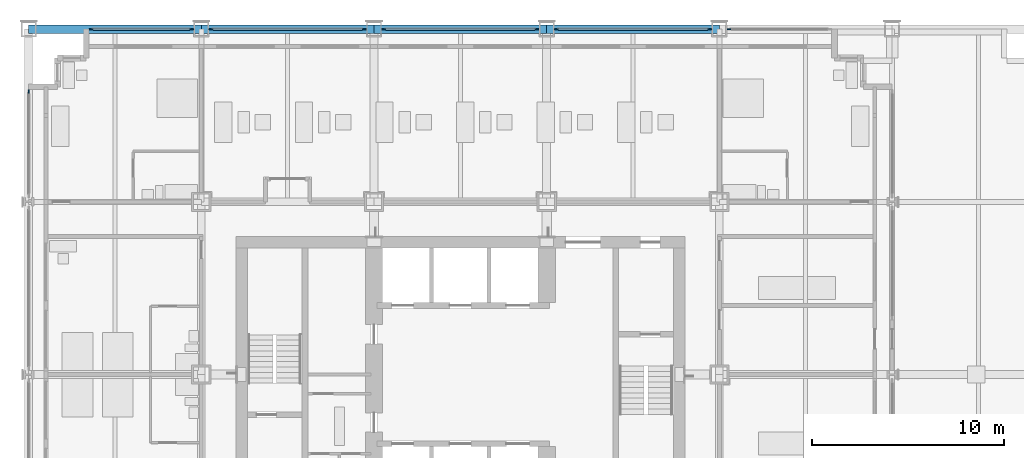
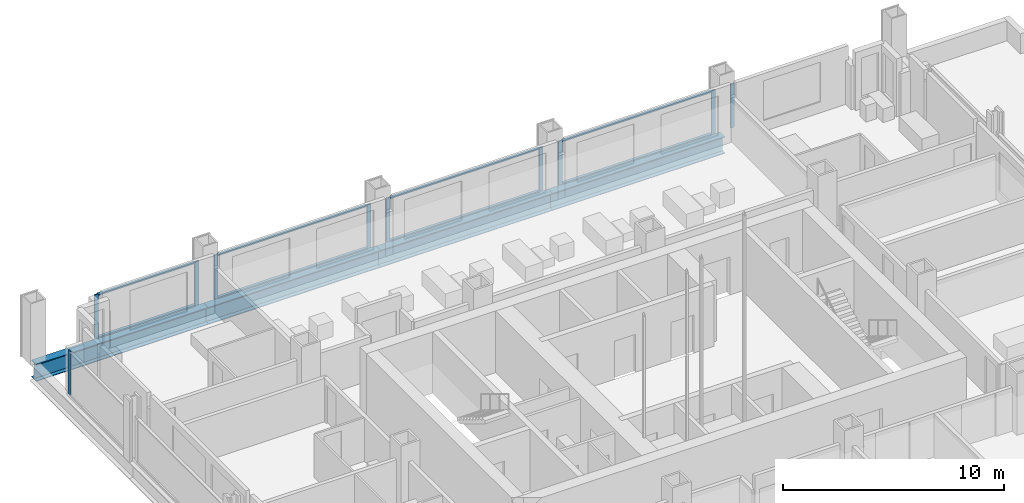
# One storey, part 7 of 19: 18 members, 4 beams, 6 elements without a shape of their own.
"""IFC4 building model written with IfcOpenShell, lengths in metres."""

from ifc_helpers import new_model, si_unit, direction, frame, origin, origin_2d, place, context, subcontext, project, spatial, rectangle, i_section, extrude, material, material_profile, profile_set, type_object, element, aggregate, save


model = new_model("IFC4")

# Units and contexts
model_context = context("Model", 3, precision=1e-05, world=origin(), true_north=direction((0.0, 1.0)))
body_context = subcontext(model_context, "Body", "Model", "MODEL_VIEW")
ifc_project = project(units=[si_unit("LENGTHUNIT", "METRE"), si_unit("AREAUNIT", "SQUARE_METRE"), si_unit("VOLUMEUNIT", "CUBIC_METRE"), si_unit("PLANEANGLEUNIT", "RADIAN"), si_unit("MASSUNIT", "GRAM", prefix="KILO")], contexts=[model_context])

# Site, building, storey
site_placement = place(None, origin())
site = spatial("IfcSite", under=ifc_project, at=site_placement, CompositionType="ELEMENT")
building_placement = place(site_placement, origin())
building = spatial("IfcBuilding", under=site, at=building_placement, Name="Loomwork Tower", CompositionType="ELEMENT")
storey_placement = place(building_placement, frame((0.0, 0.0, 94.199951171875)))
storey = spatial("IfcBuildingStorey", under=building, at=storey_placement, Name="L24", CompositionType="ELEMENT", Elevation=94.199951171875)

# Beams
ifc_material_1 = material(Name="Steel ASTM A992", Category="steel")
ifc_material_profile_1 = material_profile(ifc_material_1, i_section(OverallWidth=0.424072265625, OverallDepth=0.947509765625, WebThickness=0.02392578125, FlangeThickness=0.042724609375, at=origin_2d()), Name="W36x302")
ifc_profile_set_1 = profile_set([ifc_material_profile_1], Name="Steel ASTM A992")
beam_type = type_object("IfcBeamType", Name="BELT CHORD SPANDREL W36x302", PredefinedType="SPANDREL", material=ifc_profile_set_1)
for number, where, z_axis, x_axis, name in (
    (1, (0.0, 36.0, -0.673583984375), (1.0, 0.0, 0.0), (0.0, 1.0, 0.0), "Belt Chord Spandrel H/2-H/3 L24"),
    (2, (9.0, 36.0, -0.673583984375), (1.0, 0.0, 0.0), (0.0, 1.0, 0.0), "Belt Chord Spandrel H/3-H/4 L24"),
    (3, (18.0, 36.0, -0.673583984375), (1.0, 0.0, 0.0), (0.0, 1.0, 0.0), "Belt Chord Spandrel H/4-H/5 L24"),
    (4, (27.0, 36.0, -0.673583984375), (1.0, 0.0, 0.0), (0.0, 1.0, 0.0), "Belt Chord Spandrel H/5-H/6 L24"),
):
    element("IfcBeam", number, at=place(storey_placement, frame(where, z_axis=z_axis, x_axis=x_axis)), inside=storey, type_object=beam_type, Name=name, PredefinedType="SPANDREL", context=body_context, shape_type="SweptSolid", body=[
        extrude(i_section(OverallWidth=0.424072265625, OverallDepth=0.947509765625, WebThickness=0.02392578125, FlangeThickness=0.042724609375, at=origin_2d()), origin(), (0.0, 0.0, 1.0), 9.0),
    ])

# Curtain wall, members
ifc_material_2 = material(Name="Aluminium curtain wall frame", Category="aluminium")
curtain_wall_type = type_object("IfcCurtainWallType", Name="Outer skin glazing hotel", PredefinedType="NOTDEFINED", material=ifc_material_2)
curtain_wall_1_placement = place(storey_placement, origin())
curtain_wall_1 = element("IfcCurtainWall", 5, at=curtain_wall_1_placement, inside=storey, type_object=curtain_wall_type, Name="Outer skin glazing hotel cw/N-0", PredefinedType="NOTDEFINED")
ifc_material_3 = material(Name="Aluminium curtain wall frame", Category="aluminium")
ifc_material_profile_2 = material_profile(ifc_material_3, rectangle(XDim=0.06494140625, YDim=0.199951171875, at=origin_2d()), Name="AL 65x200")
ifc_profile_set_2 = profile_set([ifc_material_profile_2], Name="Aluminium curtain wall frame")
member_type_1 = type_object("IfcMemberType", Name="Outer skin glazing hotel mullion", PredefinedType="MULLION", material=ifc_profile_set_2)
member_1_placement = place(storey_placement, frame((8.5, 36.0, 0.0), z_axis=(0.0, 0.0, 1.0), x_axis=(0.0, -1.0, 0.0)))
member_1 = element("IfcMember", 6, at=member_1_placement, type_object=member_type_1, Name="CW1 mullion 1", PredefinedType="MULLION", context=body_context, shape_type="SweptSolid", body=[
    extrude(rectangle(XDim=0.06494140625, YDim=0.199951171875, at=origin_2d()), origin(), (0.0, 0.0, 1.0), 2.420166015625),
])
member_2_placement = place(storey_placement, frame((3.25, 36.0, 0.0), z_axis=(0.0, 0.0, 1.0), x_axis=(0.0, -1.0, 0.0)))
member_2 = element("IfcMember", 7, at=member_2_placement, type_object=member_type_1, Name="CW1 mullion 2", PredefinedType="MULLION", context=body_context, shape_type="SweptSolid", body=[
    extrude(rectangle(XDim=0.06494140625, YDim=0.199951171875, at=origin_2d()), origin(), (0.0, 0.0, 1.0), 2.420166015625),
])

curtain_wall_2_placement = place(storey_placement, origin())
curtain_wall_2 = element("IfcCurtainWall", 8, at=curtain_wall_2_placement, inside=storey, type_object=curtain_wall_type, Name="Outer skin glazing hotel cw/N-9", PredefinedType="NOTDEFINED")
member_3_placement = place(storey_placement, frame((17.5, 36.0, 0.0), z_axis=(0.0, 0.0, 1.0), x_axis=(0.0, -1.0, 0.0)))
member_3 = element("IfcMember", 9, at=member_3_placement, type_object=member_type_1, Name="CW1 mullion 1", PredefinedType="MULLION", context=body_context, shape_type="SweptSolid", body=[
    extrude(rectangle(XDim=0.06494140625, YDim=0.199951171875, at=origin_2d()), origin(), (0.0, 0.0, 1.0), 2.420166015625),
])
member_4_placement = place(storey_placement, frame((9.5, 36.0, 0.0), z_axis=(0.0, 0.0, 1.0), x_axis=(0.0, -1.0, 0.0)))
member_4 = element("IfcMember", 10, at=member_4_placement, type_object=member_type_1, Name="CW1 mullion 2", PredefinedType="MULLION", context=body_context, shape_type="SweptSolid", body=[
    extrude(rectangle(XDim=0.06494140625, YDim=0.199951171875, at=origin_2d()), origin(), (0.0, 0.0, 1.0), 2.420166015625),
])

curtain_wall_3_placement = place(storey_placement, origin())
curtain_wall_3 = element("IfcCurtainWall", 11, at=curtain_wall_3_placement, inside=storey, type_object=curtain_wall_type, Name="Outer skin glazing hotel cw/N-18", PredefinedType="NOTDEFINED")
member_5_placement = place(storey_placement, frame((26.5, 36.0, 0.0), z_axis=(0.0, 0.0, 1.0), x_axis=(0.0, -1.0, 0.0)))
member_5 = element("IfcMember", 12, at=member_5_placement, type_object=member_type_1, Name="CW1 mullion 1", PredefinedType="MULLION", context=body_context, shape_type="SweptSolid", body=[
    extrude(rectangle(XDim=0.06494140625, YDim=0.199951171875, at=origin_2d()), origin(), (0.0, 0.0, 1.0), 2.420166015625),
])
member_6_placement = place(storey_placement, frame((18.5, 36.0, 0.0), z_axis=(0.0, 0.0, 1.0), x_axis=(0.0, -1.0, 0.0)))
member_6 = element("IfcMember", 13, at=member_6_placement, type_object=member_type_1, Name="CW1 mullion 2", PredefinedType="MULLION", context=body_context, shape_type="SweptSolid", body=[
    extrude(rectangle(XDim=0.06494140625, YDim=0.199951171875, at=origin_2d()), origin(), (0.0, 0.0, 1.0), 2.420166015625),
])

curtain_wall_4_placement = place(storey_placement, origin())
curtain_wall_4 = element("IfcCurtainWall", 14, at=curtain_wall_4_placement, inside=storey, type_object=curtain_wall_type, Name="Outer skin glazing hotel cw/N-27", PredefinedType="NOTDEFINED")
member_7_placement = place(storey_placement, frame((35.5, 36.0, 0.0), z_axis=(0.0, 0.0, 1.0), x_axis=(0.0, -1.0, 0.0)))
member_7 = element("IfcMember", 15, at=member_7_placement, type_object=member_type_1, Name="CW1 mullion 1", PredefinedType="MULLION", context=body_context, shape_type="SweptSolid", body=[
    extrude(rectangle(XDim=0.06494140625, YDim=0.199951171875, at=origin_2d()), origin(), (0.0, 0.0, 1.0), 2.420166015625),
])
member_8_placement = place(storey_placement, frame((27.5, 36.0, 0.0), z_axis=(0.0, 0.0, 1.0), x_axis=(0.0, -1.0, 0.0)))
member_8 = element("IfcMember", 16, at=member_8_placement, type_object=member_type_1, Name="CW1 mullion 2", PredefinedType="MULLION", context=body_context, shape_type="SweptSolid", body=[
    extrude(rectangle(XDim=0.06494140625, YDim=0.199951171875, at=origin_2d()), origin(), (0.0, 0.0, 1.0), 2.420166015625),
])

# Curtain wall, member
curtain_wall_5_placement = place(storey_placement, origin())
curtain_wall_5 = element("IfcCurtainWall", 17, at=curtain_wall_5_placement, inside=storey, type_object=curtain_wall_type, Name="Outer skin glazing hotel cw/N-36", PredefinedType="NOTDEFINED")
member_9_placement = place(storey_placement, frame((36.5, 36.0, 0.0), z_axis=(0.0, 0.0, 1.0), x_axis=(0.0, -1.0, 0.0)))
member_9 = element("IfcMember", 18, at=member_9_placement, type_object=member_type_1, Name="CW1 mullion 2", PredefinedType="MULLION", context=body_context, shape_type="SweptSolid", body=[
    extrude(rectangle(XDim=0.06494140625, YDim=0.199951171875, at=origin_2d()), origin(), (0.0, 0.0, 1.0), 2.420166015625),
])
aggregate(curtain_wall_5, [member_9])

curtain_wall_6_placement = place(storey_placement, origin())
curtain_wall_6 = element("IfcCurtainWall", 19, at=curtain_wall_6_placement, inside=storey, type_object=curtain_wall_type, Name="Outer skin glazing hotel cw/W-27", PredefinedType="NOTDEFINED")
member_10_placement = place(storey_placement, frame((0.0, 32.75, 0.0), z_axis=(0.0, 0.0, 1.0), x_axis=(1.0, 0.0, 0.0)))
member_10 = element("IfcMember", 20, at=member_10_placement, type_object=member_type_1, Name="CW1 mullion 1", PredefinedType="MULLION", context=body_context, shape_type="SweptSolid", body=[
    extrude(rectangle(XDim=0.06494140625, YDim=0.199951171875, at=origin_2d()), origin(), (0.0, 0.0, 1.0), 2.420166015625),
])
aggregate(curtain_wall_6, [member_10])

# Member
ifc_material_4 = material(Name="Aluminium curtain wall frame", Category="aluminium")
ifc_material_profile_3 = material_profile(ifc_material_4, rectangle(XDim=0.14990234375, YDim=0.06494140625, at=origin_2d()), Name="AL 65x150")
ifc_profile_set_3 = profile_set([ifc_material_profile_3], Name="Aluminium curtain wall frame")
member_type_2 = type_object("IfcMemberType", Name="Outer skin glazing hotel transom", PredefinedType="USERDEFINED", material=ifc_profile_set_3)
member_11_placement = place(storey_placement, frame((8.39990234375, 36.0, 0.032470703125), z_axis=(-1.0, 0.0, 0.0), x_axis=(0.0, -1.0, 0.0)))
member_11 = element("IfcMember", 21, at=member_11_placement, type_object=member_type_2, Name="CW1 transom 1.1", ObjectType="TRANSOM", PredefinedType="USERDEFINED", context=body_context, shape_type="SweptSolid", body=[
    extrude(rectangle(XDim=0.14990234375, YDim=0.06494140625, at=origin_2d()), origin(), (0.0, 0.0, 1.0), 5.0498046875),
])

member_12_placement = place(storey_placement, frame((8.39990234375, 36.0, 2.3876953125), z_axis=(-1.0, 0.0, 0.0), x_axis=(0.0, -1.0, 0.0)))
member_12 = element("IfcMember", 22, at=member_12_placement, type_object=member_type_2, Name="CW1 transom 1.2", ObjectType="TRANSOM", PredefinedType="USERDEFINED", context=body_context, shape_type="SweptSolid", body=[
    extrude(rectangle(XDim=0.14990234375, YDim=0.06494140625, at=origin_2d()), origin(), (0.0, 0.0, 1.0), 5.0498046875),
])

aggregate(curtain_wall_1, [member_1, member_2, member_11, member_12])

member_13_placement = place(storey_placement, frame((17.39990234375, 36.0, 0.032470703125), z_axis=(-1.0, 0.0, 0.0), x_axis=(0.0, -1.0, 0.0)))
member_13 = element("IfcMember", 23, at=member_13_placement, type_object=member_type_2, Name="CW1 transom 1.1", ObjectType="TRANSOM", PredefinedType="USERDEFINED", context=body_context, shape_type="SweptSolid", body=[
    extrude(rectangle(XDim=0.14990234375, YDim=0.06494140625, at=origin_2d()), origin(), (0.0, 0.0, 1.0), 7.7998046875),
])

member_14_placement = place(storey_placement, frame((17.39990234375, 36.0, 2.3876953125), z_axis=(-1.0, 0.0, 0.0), x_axis=(0.0, -1.0, 0.0)))
member_14 = element("IfcMember", 24, at=member_14_placement, type_object=member_type_2, Name="CW1 transom 1.2", ObjectType="TRANSOM", PredefinedType="USERDEFINED", context=body_context, shape_type="SweptSolid", body=[
    extrude(rectangle(XDim=0.14990234375, YDim=0.06494140625, at=origin_2d()), origin(), (0.0, 0.0, 1.0), 7.7998046875),
])

aggregate(curtain_wall_2, [member_3, member_4, member_13, member_14])

member_15_placement = place(storey_placement, frame((26.39990234375, 36.0, 0.032470703125), z_axis=(-1.0, 0.0, 0.0), x_axis=(0.0, -1.0, 0.0)))
member_15 = element("IfcMember", 25, at=member_15_placement, type_object=member_type_2, Name="CW1 transom 1.1", ObjectType="TRANSOM", PredefinedType="USERDEFINED", context=body_context, shape_type="SweptSolid", body=[
    extrude(rectangle(XDim=0.14990234375, YDim=0.06494140625, at=origin_2d()), origin(), (0.0, 0.0, 1.0), 7.7998046875),
])

member_16_placement = place(storey_placement, frame((26.39990234375, 36.0, 2.3876953125), z_axis=(-1.0, 0.0, 0.0), x_axis=(0.0, -1.0, 0.0)))
member_16 = element("IfcMember", 26, at=member_16_placement, type_object=member_type_2, Name="CW1 transom 1.2", ObjectType="TRANSOM", PredefinedType="USERDEFINED", context=body_context, shape_type="SweptSolid", body=[
    extrude(rectangle(XDim=0.14990234375, YDim=0.06494140625, at=origin_2d()), origin(), (0.0, 0.0, 1.0), 7.7998046875),
])

aggregate(curtain_wall_3, [member_5, member_6, member_15, member_16])

member_17_placement = place(storey_placement, frame((35.39990234375, 36.0, 0.032470703125), z_axis=(-1.0, 0.0, 0.0), x_axis=(0.0, -1.0, 0.0)))
member_17 = element("IfcMember", 27, at=member_17_placement, type_object=member_type_2, Name="CW1 transom 1.1", ObjectType="TRANSOM", PredefinedType="USERDEFINED", context=body_context, shape_type="SweptSolid", body=[
    extrude(rectangle(XDim=0.14990234375, YDim=0.06494140625, at=origin_2d()), origin(), (0.0, 0.0, 1.0), 7.7998046875),
])

member_18_placement = place(storey_placement, frame((35.39990234375, 36.0, 2.3876953125), z_axis=(-1.0, 0.0, 0.0), x_axis=(0.0, -1.0, 0.0)))
member_18 = element("IfcMember", 28, at=member_18_placement, type_object=member_type_2, Name="CW1 transom 1.2", ObjectType="TRANSOM", PredefinedType="USERDEFINED", context=body_context, shape_type="SweptSolid", body=[
    extrude(rectangle(XDim=0.14990234375, YDim=0.06494140625, at=origin_2d()), origin(), (0.0, 0.0, 1.0), 7.7998046875),
])

aggregate(curtain_wall_4, [member_7, member_8, member_17, member_18])

save(model, "model.ifc")
